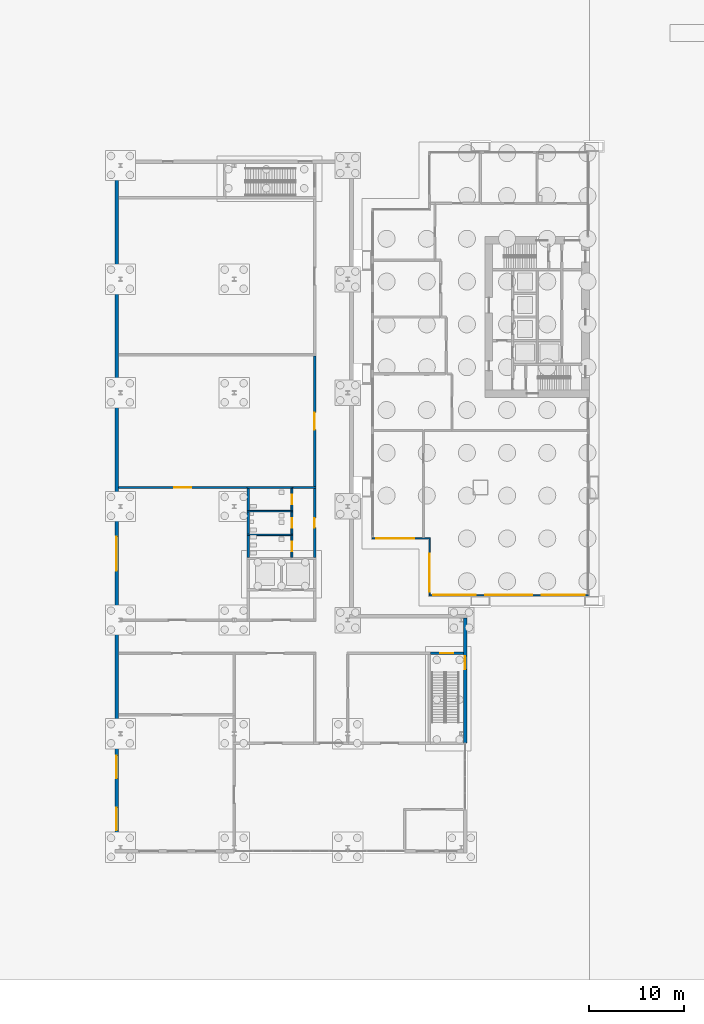
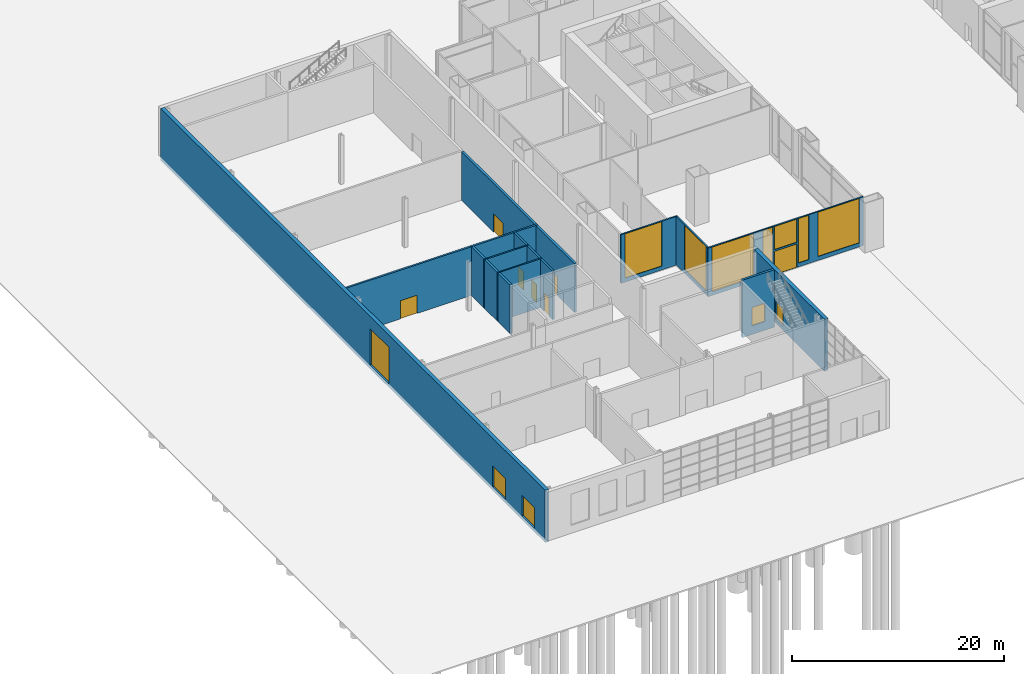
# One storey, part 19 of 29: 19 walls, 12 doors, 7 windows, 19 openings.
"""IFC4 building model written with IfcOpenShell, lengths in metres."""

from ifc_helpers import new_model, si_unit, direction, frame, frame_2d, origin, place, context, subcontext, project, spatial, rectangle, extrude, material, layer, layer_set, type_object, element, fill, save


model = new_model("IFC4")

# Units and contexts
model_context = context("Model", 3, precision=1e-05, world=origin(), true_north=direction((0.0, 1.0)))
body_context = subcontext(model_context, "Body", "Model", "MODEL_VIEW")
ifc_project = project(units=[si_unit("LENGTHUNIT", "METRE"), si_unit("AREAUNIT", "SQUARE_METRE"), si_unit("VOLUMEUNIT", "CUBIC_METRE"), si_unit("PLANEANGLEUNIT", "RADIAN"), si_unit("MASSUNIT", "GRAM", prefix="KILO")], contexts=[model_context])

# Site, building, storey
site_placement = place(None, origin())
site = spatial("IfcSite", under=ifc_project, at=site_placement, CompositionType="ELEMENT")
building_placement = place(site_placement, origin())
building = spatial("IfcBuilding", under=site, at=building_placement, Name="Kitamizu Gate Tower and Museum", CompositionType="ELEMENT")
storey_placement = place(building_placement, origin())
storey = spatial("IfcBuildingStorey", under=building, at=storey_placement, Name="L00", CompositionType="ELEMENT", Elevation=0.0)

# Wall, opening, door
ifc_material_1 = material(Name="Concrete Fc30", Category="concrete")
ifc_layer_1 = layer(ifc_material_1, 0.25)
ifc_layer_set_1 = layer_set([ifc_layer_1], Name="Concrete Fc30")
wall_type_1 = type_object("IfcWallType", Name="Museum RC core wall 250 EI 90", PredefinedType="SHEAR", material=ifc_layer_set_1)
wall_1_placement = place(storey_placement, frame((6.72509765625, -5.5, -1.0), z_axis=(0.0, 0.0, 1.0), x_axis=(1.0, 0.0, 0.0)))
wall_1 = element("IfcWall", 1, at=wall_1_placement, inside=storey, type_object=wall_type_1, Name="Core wall L00.18.1", PredefinedType="SHEAR", context=body_context, shape_type="SweptSolid", body=[
    extrude(rectangle(XDim=3.474853515625, YDim=0.25, at=frame_2d((1.7373046875, 0.0))), origin(), (0.0, 0.0, 1.0), 6.60009765625),
])
opening_1_placement = place(wall_1_placement, frame((1.037109375, 0.0, 1.0)))
opening_1 = element("IfcOpeningElement", 2, at=opening_1_placement, cuts=wall_1, Name="Opening MUS-L00-009", PredefinedType="OPENING", context=body_context, shape_type="SweptSolid", body=[
    extrude(rectangle(XDim=1.39990234375, YDim=2.10009765625, at=frame_2d((0.699951171875, 1.050048828125))), frame((0.0, 0.135009765625, 0.0), z_axis=(0.0, -1.0, 0.0), x_axis=(1.0, 0.0, 0.0)), (0.0, 0.0, 1.0), 0.27001953125),
])
ifc_material_2 = material(Name="Timber leaf in hollow metal frame", Category="wood")
door_type_1 = type_object("IfcDoorType", Name="Museum door 1400x2100 FD60", OperationType="DOUBLE_DOOR_SINGLE_SWING", PredefinedType="DOOR", material=ifc_material_2)
door_1_placement = place(opening_1_placement, origin())
door_1 = element("IfcDoor", 3, at=door_1_placement, inside=storey, type_object=door_type_1, Name="Door Stair S", OperationType="DOUBLE_DOOR_SINGLE_SWING", OverallHeight=2.10009765625, OverallWidth=1.39990234375, PredefinedType="DOOR", context=body_context, shape_type="SweptSolid", body=[
    extrude(rectangle(XDim=1.39990234375, YDim=2.10009765625, at=frame_2d((0.699951171875, 1.050048828125))), frame((0.0, 0.02490234375, 0.0), z_axis=(0.0, -1.0, 0.0), x_axis=(1.0, 0.0, 0.0)), (0.0, 0.0, 1.0), 0.050048828125),
])
fill(opening_1, door_1)

# Wall, openings, doors
ifc_material_3 = material(Name="Concrete Fc30 precast", Category="concrete")
ifc_layer_2 = layer(ifc_material_3, 0.39990234375)
ifc_layer_set_2 = layer_set([ifc_layer_2], Name="Concrete Fc30 precast")
wall_type_2 = type_object("IfcWallType", Name="Museum cladding wall 400", PredefinedType="STANDARD", material=ifc_layer_set_2)
wall_2_placement = place(storey_placement, frame((-26.39990234375, -26.199951171875, -0.39990234375), z_axis=(0.0, 0.0, 1.0), x_axis=(0.0, 1.0, 0.0)))
wall_2 = element("IfcWall", 4, at=wall_2_placement, inside=storey, type_object=wall_type_2, Name="Cladding wall L00.4", PredefinedType="STANDARD", context=body_context, shape_type="SweptSolid", body=[
    extrude(rectangle(XDim=72.39990234375, YDim=0.39990234375, at=frame_2d((36.199951171875, 0.0))), origin(), (0.0, 0.0, 1.0), 6.0),
])
opening_2_placement = place(wall_2_placement, frame((29.39990234375, 0.0, 0.39990234375)))
opening_2 = element("IfcOpeningElement", 5, at=opening_2_placement, cuts=wall_2, Name="Opening MUS-L00-005", PredefinedType="OPENING", context=body_context, shape_type="SweptSolid", body=[
    extrude(rectangle(XDim=3.60009765625, YDim=4.199951171875, at=frame_2d((1.800048828125, 2.10009765625))), frame((0.0, 0.2099609375, 0.0), z_axis=(0.0, -1.0, 0.0), x_axis=(1.0, 0.0, 0.0)), (0.0, 0.0, 1.0), 0.419921875),
])
opening_3_placement = place(wall_2_placement, frame((2.0, 0.0, 0.39990234375)))
opening_3 = element("IfcOpeningElement", 6, at=opening_3_placement, cuts=wall_2, Name="Opening MUS-L00-006", PredefinedType="OPENING", context=body_context, shape_type="SweptSolid", body=[
    extrude(rectangle(XDim=2.39990234375, YDim=2.39990234375, at=frame_2d((1.199951171875, 1.199951171875))), frame((0.0, 0.2099609375, 0.0), z_axis=(0.0, -1.0, 0.0), x_axis=(1.0, 0.0, 0.0)), (0.0, 0.0, 1.0), 0.419921875),
])
opening_4_placement = place(wall_2_placement, frame((7.5, 0.0, 0.39990234375)))
opening_4 = element("IfcOpeningElement", 7, at=opening_4_placement, cuts=wall_2, Name="Opening MUS-L00-007", PredefinedType="OPENING", context=body_context, shape_type="SweptSolid", body=[
    extrude(rectangle(XDim=2.39990234375, YDim=2.39990234375, at=frame_2d((1.199951171875, 1.199951171875))), frame((0.0, 0.2099609375, 0.0), z_axis=(0.0, -1.0, 0.0), x_axis=(1.0, 0.0, 0.0)), (0.0, 0.0, 1.0), 0.419921875),
])
ifc_material_4 = material(Name="Bronze anodised aluminium and tinted glass", Category="aluminium")
door_type_2 = type_object("IfcDoorType", Name="Museum entrance door 2400x2400", OperationType="DOUBLE_DOOR_SINGLE_SWING", PredefinedType="DOOR", material=ifc_material_4)
door_2_placement = place(opening_3_placement, origin())
door_2 = element("IfcDoor", 8, at=door_2_placement, inside=storey, type_object=door_type_2, Name="Cafe entrance and exit door", OperationType="DOUBLE_DOOR_SINGLE_SWING", OverallHeight=2.39990234375, OverallWidth=2.39990234375, PredefinedType="DOOR", context=body_context, shape_type="SweptSolid", body=[
    extrude(rectangle(XDim=2.39990234375, YDim=2.39990234375, at=frame_2d((1.199951171875, 1.199951171875))), frame((0.0, 0.02490234375, 0.0), z_axis=(0.0, -1.0, 0.0), x_axis=(1.0, 0.0, 0.0)), (0.0, 0.0, 1.0), 0.050048828125),
])
fill(opening_3, door_2)
door_3_placement = place(opening_4_placement, origin())
door_3 = element("IfcDoor", 9, at=door_3_placement, inside=storey, type_object=door_type_2, Name="Cafe entrance and exit door", OperationType="DOUBLE_DOOR_SINGLE_SWING", OverallHeight=2.39990234375, OverallWidth=2.39990234375, PredefinedType="DOOR", context=body_context, shape_type="SweptSolid", body=[
    extrude(rectangle(XDim=2.39990234375, YDim=2.39990234375, at=frame_2d((1.199951171875, 1.199951171875))), frame((0.0, 0.02490234375, 0.0), z_axis=(0.0, -1.0, 0.0), x_axis=(1.0, 0.0, 0.0)), (0.0, 0.0, 1.0), 0.050048828125),
])
fill(opening_4, door_3)
ifc_material_5 = material(Name="Insulated hollow metal")
door_type_3 = type_object("IfcDoorType", Name="Museum sectional door 3600x4200", OperationType="ROLLINGUP", PredefinedType="GATE", material=ifc_material_5)
door_4_placement = place(opening_2_placement, origin())
door_4 = element("IfcDoor", 10, at=door_4_placement, inside=storey, type_object=door_type_3, Name="Loading bay door", OperationType="ROLLINGUP", OverallHeight=4.199951171875, OverallWidth=3.60009765625, PredefinedType="GATE", context=body_context, shape_type="SweptSolid", body=[
    extrude(rectangle(XDim=3.60009765625, YDim=4.199951171875, at=frame_2d((1.800048828125, 2.10009765625))), frame((0.0, 0.02490234375, 0.0), z_axis=(0.0, -1.0, 0.0), x_axis=(1.0, 0.0, 0.0)), (0.0, 0.0, 1.0), 0.050048828125),
])
fill(opening_2, door_4)

# Wall, opening, door
wall_3_placement = place(storey_placement, frame((10.39990234375, -15.0, -0.39990234375), z_axis=(0.0, 0.0, 1.0), x_axis=(0.0, 1.0, 0.0)))
wall_3 = element("IfcWall", 11, at=wall_3_placement, inside=storey, type_object=wall_type_2, Name="Cladding wall L00.5", PredefinedType="STANDARD", context=body_context, shape_type="SweptSolid", body=[
    extrude(rectangle(XDim=13.199951171875, YDim=0.39990234375, at=frame_2d((6.60009765625, 0.0))), origin(), (0.0, 0.0, 1.0), 6.0),
])
opening_5_placement = place(wall_3_placement, frame((7.800048828125, 0.0, 0.39990234375)))
opening_5 = element("IfcOpeningElement", 12, at=opening_5_placement, cuts=wall_3, Name="Opening MUS-L00-003", PredefinedType="OPENING", context=body_context, shape_type="SweptSolid", body=[
    extrude(rectangle(XDim=1.39990234375, YDim=2.10009765625, at=frame_2d((0.699951171875, 1.050048828125))), frame((0.0, 0.2099609375, 0.0), z_axis=(0.0, -1.0, 0.0), x_axis=(1.0, 0.0, 0.0)), (0.0, 0.0, 1.0), 0.419921875),
])
ifc_material_6 = material(Name="Bronze anodised aluminium and tinted glass", Category="aluminium")
door_type_4 = type_object("IfcDoorType", Name="Museum entrance door 1400x2100 FD60", OperationType="DOUBLE_DOOR_SINGLE_SWING", PredefinedType="DOOR", material=ifc_material_6)
door_5_placement = place(opening_5_placement, frame((1.39990234375, 0.0, 0.0), x_axis=(-1.0, 0.0, 0.0)))
door_5 = element("IfcDoor", 13, at=door_5_placement, inside=storey, type_object=door_type_4, Name="Stair S exit door", OperationType="DOUBLE_DOOR_SINGLE_SWING", OverallHeight=2.10009765625, OverallWidth=1.39990234375, PredefinedType="DOOR", context=body_context, shape_type="SweptSolid", body=[
    extrude(rectangle(XDim=1.39990234375, YDim=2.10009765625, at=frame_2d((0.699951171875, 1.050048828125))), frame((0.0, 0.02490234375, 0.0), z_axis=(0.0, -1.0, 0.0), x_axis=(1.0, 0.0, 0.0)), (0.0, 0.0, 1.0), 0.050048828125),
])
fill(opening_5, door_5)

ifc_material_7 = material(Name="Gypsum board on galvanised stud")
ifc_layer_3 = layer(ifc_material_7, 0.199951171875)
ifc_layer_set_3 = layer_set([ifc_layer_3], Name="Gypsum board on galvanised stud")
wall_type_3 = type_object("IfcWallType", Name="Museum fire rated partition 200", PredefinedType="PARTITIONING", material=ifc_layer_set_3)
wall_4_placement = place(storey_placement, frame((-26.199951171875, 12.0, 0.0), z_axis=(0.0, 0.0, 1.0), x_axis=(1.0, 0.0, 0.0)))
wall_4 = element("IfcWall", 14, at=wall_4_placement, inside=storey, type_object=wall_type_3, Name="Fire-rated partition L00.27.1", PredefinedType="PARTITIONING", context=body_context, shape_type="SweptSolid", body=[
    extrude(rectangle(XDim=13.574951171875, YDim=0.199951171875, at=frame_2d((6.78759765625, 0.0))), origin(), (0.0, 0.0, 1.0), 5.60009765625),
])
opening_6_placement = place(wall_4_placement, frame((5.886962890625, 0.0, 0.0)))
opening_6 = element("IfcOpeningElement", 15, at=opening_6_placement, cuts=wall_4, Name="Opening MUS-L00-030", PredefinedType="OPENING", context=body_context, shape_type="SweptSolid", body=[
    extrude(rectangle(XDim=1.800048828125, YDim=2.10009765625, at=frame_2d((0.89990234375, 1.050048828125))), frame((0.0, 0.10986328125, 0.0), z_axis=(0.0, -1.0, 0.0), x_axis=(1.0, 0.0, 0.0)), (0.0, 0.0, 1.0), 0.219970703125),
])
ifc_material_8 = material(Name="Timber leaf in hollow metal frame", Category="wood")
door_type_5 = type_object("IfcDoorType", Name="Museum door 1800x2100 FD60", OperationType="DOUBLE_DOOR_SINGLE_SWING", PredefinedType="DOOR", material=ifc_material_8)
door_6_placement = place(opening_6_placement, origin())
door_6 = element("IfcDoor", 16, at=door_6_placement, inside=storey, type_object=door_type_5, Name="Door Loading bay", OperationType="DOUBLE_DOOR_SINGLE_SWING", OverallHeight=2.10009765625, OverallWidth=1.800048828125, PredefinedType="DOOR", context=body_context, shape_type="SweptSolid", body=[
    extrude(rectangle(XDim=1.800048828125, YDim=2.10009765625, at=frame_2d((0.89990234375, 1.050048828125))), frame((0.0, 0.02490234375, 0.0), z_axis=(0.0, -1.0, 0.0), x_axis=(1.0, 0.0, 0.0)), (0.0, 0.0, 1.0), 0.050048828125),
])
fill(opening_6, door_6)

wall_5_placement = place(storey_placement, frame((-7.89990234375, 9.574951171875, 0.0), z_axis=(0.0, 0.0, 1.0), x_axis=(0.0, 1.0, 0.0)))
wall_5 = element("IfcWall", 17, at=wall_5_placement, inside=storey, type_object=wall_type_3, Name="Fire-rated partition L00.42.1", PredefinedType="PARTITIONING", context=body_context, shape_type="SweptSolid", body=[
    extrude(rectangle(XDim=2.324951171875, YDim=0.199951171875, at=frame_2d((1.16259765625, 0.0))), origin(), (0.0, 0.0, 1.0), 5.60009765625),
])
opening_7_placement = place(wall_5_placement, frame((0.6630859375, 0.0, 0.0)))
opening_7 = element("IfcOpeningElement", 18, at=opening_7_placement, cuts=wall_5, Name="Opening MUS-L00-017", PredefinedType="OPENING", context=body_context, shape_type="SweptSolid", body=[
    extrude(rectangle(XDim=1.0, YDim=2.10009765625, at=frame_2d((0.5, 1.050048828125))), frame((0.0, 0.10986328125, 0.0), z_axis=(0.0, -1.0, 0.0), x_axis=(1.0, 0.0, 0.0)), (0.0, 0.0, 1.0), 0.219970703125),
])
ifc_material_9 = material(Name="Timber leaf in hollow metal frame", Category="wood")
door_type_6 = type_object("IfcDoorType", Name="Museum door 1000x2100 FD60", OperationType="NOTDEFINED", PredefinedType="DOOR", material=ifc_material_9)
door_7_placement = place(opening_7_placement, origin())
door_7 = element("IfcDoor", 19, at=door_7_placement, inside=storey, type_object=door_type_6, Name="Door Accessible WC", OperationType="SINGLE_SWING_RIGHT", OverallHeight=2.10009765625, OverallWidth=1.0, PredefinedType="DOOR", context=body_context, shape_type="SweptSolid", body=[
    extrude(rectangle(XDim=1.0, YDim=2.10009765625, at=frame_2d((0.5, 1.050048828125))), frame((0.0, 0.02490234375, 0.0), z_axis=(0.0, -1.0, 0.0), x_axis=(1.0, 0.0, 0.0)), (0.0, 0.0, 1.0), 0.050048828125),
])
fill(opening_7, door_7)

# Wall
wall_6_placement = place(storey_placement, frame((-7.800048828125, 12.0, 0.0), z_axis=(0.0, 0.0, 1.0), x_axis=(1.0, 0.0, 0.0)))
element("IfcWall", 20, at=wall_6_placement, inside=storey, type_object=wall_type_3, Name="Fire-rated partition L00.43.1", PredefinedType="PARTITIONING", context=body_context, shape_type="SweptSolid", body=[
    extrude(rectangle(XDim=2.425048828125, YDim=0.199951171875, at=frame_2d((1.21240234375, 0.0))), origin(), (0.0, 0.0, 1.0), 5.60009765625),
])

# Wall, opening, door
wall_7_placement = place(storey_placement, frame((-7.89990234375, 7.074951171875, 0.0), z_axis=(0.0, 0.0, 1.0), x_axis=(0.0, 1.0, 0.0)))
wall_7 = element("IfcWall", 21, at=wall_7_placement, inside=storey, type_object=wall_type_3, Name="Fire-rated partition L00.44.1", PredefinedType="PARTITIONING", context=body_context, shape_type="SweptSolid", body=[
    extrude(rectangle(XDim=2.35009765625, YDim=0.199951171875, at=frame_2d((1.175048828125, 0.0))), origin(), (0.0, 0.0, 1.0), 5.60009765625),
])
opening_8_placement = place(wall_7_placement, frame((0.675048828125, 0.0, 0.0)))
opening_8 = element("IfcOpeningElement", 22, at=opening_8_placement, cuts=wall_7, Name="Opening MUS-L00-016", PredefinedType="OPENING", context=body_context, shape_type="SweptSolid", body=[
    extrude(rectangle(XDim=1.0, YDim=2.10009765625, at=frame_2d((0.5, 1.050048828125))), frame((0.0, 0.10986328125, 0.0), z_axis=(0.0, -1.0, 0.0), x_axis=(1.0, 0.0, 0.0)), (0.0, 0.0, 1.0), 0.219970703125),
])
door_8_placement = place(opening_8_placement, origin())
door_8 = element("IfcDoor", 23, at=door_8_placement, inside=storey, type_object=door_type_6, Name="Door Men WC", OperationType="SINGLE_SWING_LEFT", OverallHeight=2.10009765625, OverallWidth=1.0, PredefinedType="DOOR", context=body_context, shape_type="SweptSolid", body=[
    extrude(rectangle(XDim=1.0, YDim=2.10009765625, at=frame_2d((0.5, 1.050048828125))), frame((0.0, 0.02490234375, 0.0), z_axis=(0.0, -1.0, 0.0), x_axis=(1.0, 0.0, 0.0)), (0.0, 0.0, 1.0), 0.050048828125),
])
fill(opening_8, door_8)

wall_8_placement = place(storey_placement, frame((-7.89990234375, 4.625, 0.0), z_axis=(0.0, 0.0, 1.0), x_axis=(0.0, 1.0, 0.0)))
wall_8 = element("IfcWall", 24, at=wall_8_placement, inside=storey, type_object=wall_type_3, Name="Fire-rated partition L00.45.1", PredefinedType="PARTITIONING", context=body_context, shape_type="SweptSolid", body=[
    extrude(rectangle(XDim=2.300048828125, YDim=0.199951171875, at=frame_2d((1.14990234375, 0.0))), origin(), (0.0, 0.0, 1.0), 5.60009765625),
])
opening_9_placement = place(wall_8_placement, frame((0.64990234375, 0.0, 0.0)))
opening_9 = element("IfcOpeningElement", 25, at=opening_9_placement, cuts=wall_8, Name="Opening MUS-L00-015", PredefinedType="OPENING", context=body_context, shape_type="SweptSolid", body=[
    extrude(rectangle(XDim=1.0, YDim=2.10009765625, at=frame_2d((0.5, 1.050048828125))), frame((0.0, 0.10986328125, 0.0), z_axis=(0.0, -1.0, 0.0), x_axis=(1.0, 0.0, 0.0)), (0.0, 0.0, 1.0), 0.219970703125),
])
door_9_placement = place(opening_9_placement, origin())
door_9 = element("IfcDoor", 26, at=door_9_placement, inside=storey, type_object=door_type_6, Name="Door Women WC", OperationType="SINGLE_SWING_RIGHT", OverallHeight=2.10009765625, OverallWidth=1.0, PredefinedType="DOOR", context=body_context, shape_type="SweptSolid", body=[
    extrude(rectangle(XDim=1.0, YDim=2.10009765625, at=frame_2d((0.5, 1.050048828125))), frame((0.0, 0.02490234375, 0.0), z_axis=(0.0, -1.0, 0.0), x_axis=(1.0, 0.0, 0.0)), (0.0, 0.0, 1.0), 0.050048828125),
])
fill(opening_9, door_9)

# Wall
ifc_material_10 = material(Name="Gypsum board on galvanised stud")
ifc_layer_4 = layer(ifc_material_10, 0.25)
ifc_layer_set_4 = layer_set([ifc_layer_4], Name="Gypsum board on galvanised stud")
wall_type_4 = type_object("IfcWallType", Name="Museum fire rated partition 250", PredefinedType="PARTITIONING", material=ifc_layer_set_4)
wall_9_placement = place(storey_placement, frame((-12.5, 9.574951171875, 0.0), z_axis=(0.0, 0.0, 1.0), x_axis=(0.0, 1.0, 0.0)))
element("IfcWall", 27, at=wall_9_placement, inside=storey, type_object=wall_type_4, Name="Fire-rated partition L00.1.1", PredefinedType="PARTITIONING", context=body_context, shape_type="SweptSolid", body=[
    extrude(rectangle(XDim=2.324951171875, YDim=0.25, at=frame_2d((1.16259765625, 0.0))), origin(), (0.0, 0.0, 1.0), 5.60009765625),
])

# Wall, opening, door
wall_10_placement = place(storey_placement, frame((-5.5, 12.10009765625, 0.0), z_axis=(0.0, 0.0, 1.0), x_axis=(0.0, 1.0, 0.0)))
wall_10 = element("IfcWall", 28, at=wall_10_placement, inside=storey, type_object=wall_type_4, Name="Fire-rated partition L00.6.1", PredefinedType="PARTITIONING", context=body_context, shape_type="SweptSolid", body=[
    extrude(rectangle(XDim=13.7998046875, YDim=0.25, at=frame_2d((6.89990234375, 0.0))), origin(), (0.0, 0.0, 1.0), 5.60009765625),
])
opening_10_placement = place(wall_10_placement, frame((6.0, 0.0, 0.0)))
opening_10 = element("IfcOpeningElement", 29, at=opening_10_placement, cuts=wall_10, Name="Opening MUS-L00-026", PredefinedType="OPENING", context=body_context, shape_type="SweptSolid", body=[
    extrude(rectangle(XDim=1.800048828125, YDim=2.10009765625, at=frame_2d((0.89990234375, 1.050048828125))), frame((0.0, 0.135009765625, 0.0), z_axis=(0.0, -1.0, 0.0), x_axis=(1.0, 0.0, 0.0)), (0.0, 0.0, 1.0), 0.27001953125),
])
door_10_placement = place(opening_10_placement, origin())
door_10 = element("IfcDoor", 30, at=door_10_placement, inside=storey, type_object=door_type_5, Name="Door Collection store", OperationType="DOUBLE_DOOR_SINGLE_SWING", OverallHeight=2.10009765625, OverallWidth=1.800048828125, PredefinedType="DOOR", context=body_context, shape_type="SweptSolid", body=[
    extrude(rectangle(XDim=1.800048828125, YDim=2.10009765625, at=frame_2d((0.89990234375, 1.050048828125))), frame((0.0, 0.02490234375, 0.0), z_axis=(0.0, -1.0, 0.0), x_axis=(1.0, 0.0, 0.0)), (0.0, 0.0, 1.0), 0.050048828125),
])
fill(opening_10, door_10)

wall_11_placement = place(storey_placement, frame((-5.5, 4.625, 0.0), z_axis=(0.0, 0.0, 1.0), x_axis=(0.0, 1.0, 0.0)))
wall_11 = element("IfcWall", 31, at=wall_11_placement, inside=storey, type_object=wall_type_4, Name="Fire-rated partition L00.19.1", PredefinedType="PARTITIONING", context=body_context, shape_type="SweptSolid", body=[
    extrude(rectangle(XDim=7.27490234375, YDim=0.25, at=frame_2d((3.637451171875, 0.0))), origin(), (0.0, 0.0, 1.0), 5.60009765625),
])
opening_11_placement = place(wall_11_placement, frame((3.137939453125, 0.0, 0.0)))
opening_11 = element("IfcOpeningElement", 32, at=opening_11_placement, cuts=wall_11, Name="Opening MUS-L00-014", PredefinedType="OPENING", context=body_context, shape_type="SweptSolid", body=[
    extrude(rectangle(XDim=1.0, YDim=2.10009765625, at=frame_2d((0.5, 1.050048828125))), frame((0.0, 0.135009765625, 0.0), z_axis=(0.0, -1.0, 0.0), x_axis=(1.0, 0.0, 0.0)), (0.0, 0.0, 1.0), 0.27001953125),
])
door_11_placement = place(opening_11_placement, origin())
door_11 = element("IfcDoor", 33, at=door_11_placement, inside=storey, type_object=door_type_6, Name="Door WC lobby", OperationType="SINGLE_SWING_LEFT", OverallHeight=2.10009765625, OverallWidth=1.0, PredefinedType="DOOR", context=body_context, shape_type="SweptSolid", body=[
    extrude(rectangle(XDim=1.0, YDim=2.10009765625, at=frame_2d((0.5, 1.050048828125))), frame((0.0, 0.02490234375, 0.0), z_axis=(0.0, -1.0, 0.0), x_axis=(1.0, 0.0, 0.0)), (0.0, 0.0, 1.0), 0.050048828125),
])
fill(opening_11, door_11)

# Walls
wall_12_placement = place(storey_placement, frame((-12.5, 7.074951171875, 0.0), z_axis=(0.0, 0.0, 1.0), x_axis=(0.0, 1.0, 0.0)))
element("IfcWall", 34, at=wall_12_placement, inside=storey, type_object=wall_type_4, Name="Fire-rated partition L00.32.1", PredefinedType="PARTITIONING", context=body_context, shape_type="SweptSolid", body=[
    extrude(rectangle(XDim=2.35009765625, YDim=0.25, at=frame_2d((1.175048828125, 0.0))), origin(), (0.0, 0.0, 1.0), 5.60009765625),
])
wall_13_placement = place(storey_placement, frame((-12.5, 4.625, 0.0), z_axis=(0.0, 0.0, 1.0), x_axis=(0.0, 1.0, 0.0)))
element("IfcWall", 35, at=wall_13_placement, inside=storey, type_object=wall_type_4, Name="Fire-rated partition L00.46.1", PredefinedType="PARTITIONING", context=body_context, shape_type="SweptSolid", body=[
    extrude(rectangle(XDim=2.300048828125, YDim=0.25, at=frame_2d((1.14990234375, 0.0))), origin(), (0.0, 0.0, 1.0), 5.60009765625),
])
ifc_material_11 = material(Name="Gypsum board on galvanised stud")
ifc_layer_5 = layer(ifc_material_11, 0.14990234375)
ifc_layer_set_5 = layer_set([ifc_layer_5], Name="Gypsum board on galvanised stud")
wall_type_5 = type_object("IfcWallType", Name="Museum partition 150", PredefinedType="PARTITIONING", material=ifc_layer_set_5)
for number, where, z_axis, x_axis, name in (
    (36, (-12.625, 9.5, 0.0), (0.0, 0.0, 1.0), (1.0, 0.0, 0.0), "Partition L00.31.1"),
    (37, (-12.625, 7.0, 0.0), (0.0, 0.0, 1.0), (1.0, 0.0, 0.0), "Partition L00.47.1"),
):
    element("IfcWall", number, at=place(storey_placement, frame(where, z_axis=z_axis, x_axis=x_axis)), inside=storey, type_object=wall_type_5, Name=name, PredefinedType="PARTITIONING", context=body_context, shape_type="SweptSolid", body=[
        extrude(rectangle(XDim=4.824951171875, YDim=0.14990234375, at=frame_2d((2.41259765625, 0.0))), origin(), (0.0, 0.0, 1.0), 5.60009765625),
    ])
ifc_material_12 = material(Name="Gypsum board on galvanised stud")
ifc_layer_6 = layer(ifc_material_12, 0.199951171875)
ifc_layer_set_6 = layer_set([ifc_layer_6], Name="Gypsum board on galvanised stud")
wall_type_6 = type_object("IfcWallType", Name="Museum partition 200", PredefinedType="PARTITIONING", material=ifc_layer_set_6)
wall_14_placement = place(storey_placement, frame((-12.625, 12.0, 0.0), z_axis=(0.0, 0.0, 1.0), x_axis=(1.0, 0.0, 0.0)))
element("IfcWall", 38, at=wall_14_placement, inside=storey, type_object=wall_type_6, Name="Partition L00.0.1", PredefinedType="PARTITIONING", context=body_context, shape_type="SweptSolid", body=[
    extrude(rectangle(XDim=4.824951171875, YDim=0.199951171875, at=frame_2d((2.41259765625, 0.0))), origin(), (0.0, 0.0, 1.0), 5.60009765625),
])

# Wall, opening, window
ifc_material_13 = material(Name="Bronze anodised aluminium frame with insulated spandrel and tinted glass", Category="aluminium")
ifc_layer_7 = layer(ifc_material_13, 0.14990234375)
ifc_layer_set_7 = layer_set([ifc_layer_7], Name="Bronze anodised aluminium frame with insulated spandrel and tinted glass")
wall_type_7 = type_object("IfcWallType", Name="WINDOW WALL 150 BRONZE FRAME EI 60", PredefinedType="ELEMENTEDWALL", material=ifc_layer_set_7)
wall_15_placement = place(storey_placement, frame((6.635009765625, 0.7099609375, 0.0), z_axis=(0.0, 0.0, 1.0), x_axis=(0.0, 1.0, 0.0)))
wall_15 = element("IfcWall", 39, at=wall_15_placement, inside=storey, type_object=wall_type_7, Name="Window wall west L00", PredefinedType="ELEMENTEDWALL", context=body_context, shape_type="SweptSolid", body=[
    extrude(rectangle(XDim=5.85009765625, YDim=0.14990234375, at=frame_2d((2.925048828125, 0.0))), origin(), (0.0, 0.0, 1.0), 5.60009765625),
])
opening_12_placement = place(wall_15_placement, frame((0.2900390625, 0.0, 0.449951171875)))
opening_12 = element("IfcOpeningElement", 40, at=opening_12_placement, cuts=wall_15, Name="Opening W22", PredefinedType="OPENING", context=body_context, shape_type="SweptSolid", body=[
    extrude(rectangle(XDim=4.0, YDim=5.10009765625, at=frame_2d((2.0, 2.550048828125))), frame((0.0, 0.0849609375, 0.0), z_axis=(0.0, -1.0, 0.0), x_axis=(1.0, 0.0, 0.0)), (0.0, 0.0, 1.0), 0.169921875),
])
ifc_material_14 = material(Name="Bronze anodised aluminium frame, tinted triple glazing", Category="aluminium")
window_type_1 = type_object("IfcWindowType", Name="WINDOW 4000 x 5100 SILL 450", PartitioningType="SINGLE_PANEL", PredefinedType="WINDOW", material=ifc_material_14)
window_1_placement = place(opening_12_placement, origin())
window_1 = element("IfcWindow", 41, at=window_1_placement, inside=storey, type_object=window_type_1, Name="Window W22 L00", OverallHeight=5.10009765625, OverallWidth=4.0, PartitioningType="SINGLE_PANEL", PredefinedType="WINDOW", context=body_context, shape_type="SweptSolid", body=[
    extrude(rectangle(XDim=4.0, YDim=5.10009765625, at=frame_2d((2.0, 2.550048828125))), frame((0.0, 0.030029296875, 0.0), z_axis=(0.0, -1.0, 0.0), x_axis=(1.0, 0.0, 0.0)), (0.0, 0.0, 1.0), 0.06005859375),
])
fill(opening_12, window_1)

# Wall, openings, door, windows
wall_16_placement = place(storey_placement, frame((6.56005859375, 0.635009765625, 0.0), z_axis=(0.0, 0.0, 1.0), x_axis=(1.0, 0.0, 0.0)))
wall_16 = element("IfcWall", 42, at=wall_16_placement, inside=storey, type_object=wall_type_7, Name="Window wall south L00", PredefinedType="ELEMENTEDWALL", context=body_context, shape_type="SweptSolid", body=[
    extrude(rectangle(XDim=16.8798828125, YDim=0.14990234375, at=frame_2d((8.43994140625, 0.0))), origin(), (0.0, 0.0, 1.0), 5.60009765625),
])
opening_13_placement = place(wall_16_placement, frame((0.43994140625, 0.0, 0.449951171875)))
opening_13 = element("IfcOpeningElement", 43, at=opening_13_placement, cuts=wall_16, Name="Opening W21", PredefinedType="OPENING", context=body_context, shape_type="SweptSolid", body=[
    extrude(rectangle(XDim=4.5, YDim=5.10009765625, at=frame_2d((2.25, 2.550048828125))), frame((0.0, 0.0849609375, 0.0), z_axis=(0.0, -1.0, 0.0), x_axis=(1.0, 0.0, 0.0)), (0.0, 0.0, 1.0), 0.169921875),
])
opening_14_placement = place(wall_16_placement, frame((5.93994140625, 0.0, 0.449951171875)))
opening_14 = element("IfcOpeningElement", 44, at=opening_14_placement, cuts=wall_16, Name="Opening W9", PredefinedType="OPENING", context=body_context, shape_type="SweptSolid", body=[
    extrude(rectangle(XDim=1.10009765625, YDim=5.10009765625, at=frame_2d((0.550048828125, 2.550048828125))), frame((0.0, 0.0849609375, 0.0), z_axis=(0.0, -1.0, 0.0), x_axis=(1.0, 0.0, 0.0)), (0.0, 0.0, 1.0), 0.169921875),
])
opening_15_placement = place(wall_16_placement, frame((9.840087890625, 0.0, 0.449951171875)))
opening_15 = element("IfcOpeningElement", 45, at=opening_15_placement, cuts=wall_16, Name="Opening W9", PredefinedType="OPENING", context=body_context, shape_type="SweptSolid", body=[
    extrude(rectangle(XDim=1.10009765625, YDim=5.10009765625, at=frame_2d((0.550048828125, 2.550048828125))), frame((0.0, 0.0849609375, 0.0), z_axis=(0.0, -1.0, 0.0), x_axis=(1.0, 0.0, 0.0)), (0.0, 0.0, 1.0), 0.169921875),
])
opening_16_placement = place(wall_16_placement, frame((7.239990234375, 0.0, 0.0)))
opening_16 = element("IfcOpeningElement", 46, at=opening_16_placement, cuts=wall_16, Name="Opening L00-901", PredefinedType="OPENING", context=body_context, shape_type="SweptSolid", body=[
    extrude(rectangle(XDim=2.39990234375, YDim=2.699951171875, at=frame_2d((1.199951171875, 1.35009765625))), frame((0.0, 0.0849609375, 0.0), z_axis=(0.0, -1.0, 0.0), x_axis=(1.0, 0.0, 0.0)), (0.0, 0.0, 1.0), 0.169921875),
])
opening_17_placement = place(wall_16_placement, frame((7.239990234375, 0.0, 2.89990234375)))
opening_17 = element("IfcOpeningElement", 47, at=opening_17_placement, cuts=wall_16, Name="Opening W13", PredefinedType="OPENING", context=body_context, shape_type="SweptSolid", body=[
    extrude(rectangle(XDim=2.39990234375, YDim=2.64990234375, at=frame_2d((1.199951171875, 1.324951171875))), frame((0.0, 0.0849609375, 0.0), z_axis=(0.0, -1.0, 0.0), x_axis=(1.0, 0.0, 0.0)), (0.0, 0.0, 1.0), 0.169921875),
])
opening_18_placement = place(wall_16_placement, frame((11.93994140625, 0.0, 0.449951171875)))
opening_18 = element("IfcOpeningElement", 48, at=opening_18_placement, cuts=wall_16, Name="Opening W21", PredefinedType="OPENING", context=body_context, shape_type="SweptSolid", body=[
    extrude(rectangle(XDim=4.5, YDim=5.10009765625, at=frame_2d((2.25, 2.550048828125))), frame((0.0, 0.0849609375, 0.0), z_axis=(0.0, -1.0, 0.0), x_axis=(1.0, 0.0, 0.0)), (0.0, 0.0, 1.0), 0.169921875),
])
ifc_material_15 = material(Name="Bronze anodised aluminium frame, tinted toughened glass", Category="aluminium")
door_type_7 = type_object("IfcDoorType", Name="ENTRANCE DOOR 2400 x 2700 FIRE RATED", OperationType="DOUBLE_DOOR_SINGLE_SWING", PredefinedType="DOOR", material=ifc_material_15)
door_12_placement = place(opening_16_placement, frame((2.39990234375, 0.0, 0.0), x_axis=(-1.0, 0.0, 0.0)))
door_12 = element("IfcDoor", 49, at=door_12_placement, inside=storey, type_object=door_type_7, Name="Entrance door L00-901", OperationType="DOUBLE_DOOR_SINGLE_SWING", OverallHeight=2.699951171875, OverallWidth=2.39990234375, PredefinedType="DOOR", context=body_context, shape_type="SweptSolid", body=[
    extrude(rectangle(XDim=2.39990234375, YDim=2.699951171875, at=frame_2d((1.199951171875, 1.35009765625))), frame((0.0, 0.02490234375, 0.0), z_axis=(0.0, -1.0, 0.0), x_axis=(1.0, 0.0, 0.0)), (0.0, 0.0, 1.0), 0.050048828125),
])
fill(opening_16, door_12)
ifc_material_16 = material(Name="Bronze anodised aluminium frame, tinted triple glazing", Category="aluminium")
window_type_2 = type_object("IfcWindowType", Name="WINDOW 1100 x 5100 SILL 450", PartitioningType="SINGLE_PANEL", PredefinedType="WINDOW", material=ifc_material_16)
window_2_placement = place(opening_14_placement, origin())
window_2 = element("IfcWindow", 50, at=window_2_placement, inside=storey, type_object=window_type_2, Name="Window W9 L00", OverallHeight=5.10009765625, OverallWidth=1.10009765625, PartitioningType="SINGLE_PANEL", PredefinedType="WINDOW", context=body_context, shape_type="SweptSolid", body=[
    extrude(rectangle(XDim=1.10009765625, YDim=5.10009765625, at=frame_2d((0.550048828125, 2.550048828125))), frame((0.0, 0.030029296875, 0.0), z_axis=(0.0, -1.0, 0.0), x_axis=(1.0, 0.0, 0.0)), (0.0, 0.0, 1.0), 0.06005859375),
])
fill(opening_14, window_2)
window_3_placement = place(opening_15_placement, origin())
window_3 = element("IfcWindow", 51, at=window_3_placement, inside=storey, type_object=window_type_2, Name="Window W9 L00", OverallHeight=5.10009765625, OverallWidth=1.10009765625, PartitioningType="SINGLE_PANEL", PredefinedType="WINDOW", context=body_context, shape_type="SweptSolid", body=[
    extrude(rectangle(XDim=1.10009765625, YDim=5.10009765625, at=frame_2d((0.550048828125, 2.550048828125))), frame((0.0, 0.030029296875, 0.0), z_axis=(0.0, -1.0, 0.0), x_axis=(1.0, 0.0, 0.0)), (0.0, 0.0, 1.0), 0.06005859375),
])
fill(opening_15, window_3)
ifc_material_17 = material(Name="Bronze anodised aluminium frame, tinted triple glazing", Category="aluminium")
window_type_3 = type_object("IfcWindowType", Name="WINDOW 2400 x 2650 SILL 2900", PartitioningType="SINGLE_PANEL", PredefinedType="WINDOW", material=ifc_material_17)
window_4_placement = place(opening_17_placement, origin())
window_4 = element("IfcWindow", 52, at=window_4_placement, inside=storey, type_object=window_type_3, Name="Window W13 L00", OverallHeight=2.64990234375, OverallWidth=2.39990234375, PartitioningType="SINGLE_PANEL", PredefinedType="WINDOW", context=body_context, shape_type="SweptSolid", body=[
    extrude(rectangle(XDim=2.39990234375, YDim=2.64990234375, at=frame_2d((1.199951171875, 1.324951171875))), frame((0.0, 0.030029296875, 0.0), z_axis=(0.0, -1.0, 0.0), x_axis=(1.0, 0.0, 0.0)), (0.0, 0.0, 1.0), 0.06005859375),
])
fill(opening_17, window_4)
ifc_material_18 = material(Name="Bronze anodised aluminium frame, tinted triple glazing", Category="aluminium")
window_type_4 = type_object("IfcWindowType", Name="WINDOW 4500 x 5100 SILL 450", PartitioningType="SINGLE_PANEL", PredefinedType="WINDOW", material=ifc_material_18)
window_5_placement = place(opening_13_placement, origin())
window_5 = element("IfcWindow", 53, at=window_5_placement, inside=storey, type_object=window_type_4, Name="Window W21 L00", OverallHeight=5.10009765625, OverallWidth=4.5, PartitioningType="SINGLE_PANEL", PredefinedType="WINDOW", context=body_context, shape_type="SweptSolid", body=[
    extrude(rectangle(XDim=4.5, YDim=5.10009765625, at=frame_2d((2.25, 2.550048828125))), frame((0.0, 0.030029296875, 0.0), z_axis=(0.0, -1.0, 0.0), x_axis=(1.0, 0.0, 0.0)), (0.0, 0.0, 1.0), 0.06005859375),
])
fill(opening_13, window_5)
window_6_placement = place(opening_18_placement, origin())
window_6 = element("IfcWindow", 54, at=window_6_placement, inside=storey, type_object=window_type_4, Name="Window W21 L00", OverallHeight=5.10009765625, OverallWidth=4.5, PartitioningType="SINGLE_PANEL", PredefinedType="WINDOW", context=body_context, shape_type="SweptSolid", body=[
    extrude(rectangle(XDim=4.5, YDim=5.10009765625, at=frame_2d((2.25, 2.550048828125))), frame((0.0, 0.030029296875, 0.0), z_axis=(0.0, -1.0, 0.0), x_axis=(1.0, 0.0, 0.0)), (0.0, 0.0, 1.0), 0.06005859375),
])
fill(opening_18, window_6)

# Wall, opening, window
wall_17_placement = place(storey_placement, frame((0.56005859375, 6.635009765625, 0.0), z_axis=(0.0, 0.0, 1.0), x_axis=(1.0, 0.0, 0.0)))
wall_17 = element("IfcWall", 55, at=wall_17_placement, inside=storey, type_object=wall_type_7, Name="Window wall south L00", PredefinedType="ELEMENTEDWALL", context=body_context, shape_type="SweptSolid", body=[
    extrude(rectangle(XDim=6.14990234375, YDim=0.14990234375, at=frame_2d((3.074951171875, 0.0))), origin(), (0.0, 0.0, 1.0), 5.60009765625),
])
opening_19_placement = place(wall_17_placement, frame((0.43994140625, 0.0, 0.449951171875)))
opening_19 = element("IfcOpeningElement", 56, at=opening_19_placement, cuts=wall_17, Name="Opening W22", PredefinedType="OPENING", context=body_context, shape_type="SweptSolid", body=[
    extrude(rectangle(XDim=4.0, YDim=5.10009765625, at=frame_2d((2.0, 2.550048828125))), frame((0.0, 0.0849609375, 0.0), z_axis=(0.0, -1.0, 0.0), x_axis=(1.0, 0.0, 0.0)), (0.0, 0.0, 1.0), 0.169921875),
])
window_7_placement = place(opening_19_placement, origin())
window_7 = element("IfcWindow", 57, at=window_7_placement, inside=storey, type_object=window_type_1, Name="Window W22 L00", OverallHeight=5.10009765625, OverallWidth=4.0, PartitioningType="SINGLE_PANEL", PredefinedType="WINDOW", context=body_context, shape_type="SweptSolid", body=[
    extrude(rectangle(XDim=4.0, YDim=5.10009765625, at=frame_2d((2.0, 2.550048828125))), frame((0.0, 0.030029296875, 0.0), z_axis=(0.0, -1.0, 0.0), x_axis=(1.0, 0.0, 0.0)), (0.0, 0.0, 1.0), 0.06005859375),
])
fill(opening_19, window_7)

save(model, "model.ifc")
